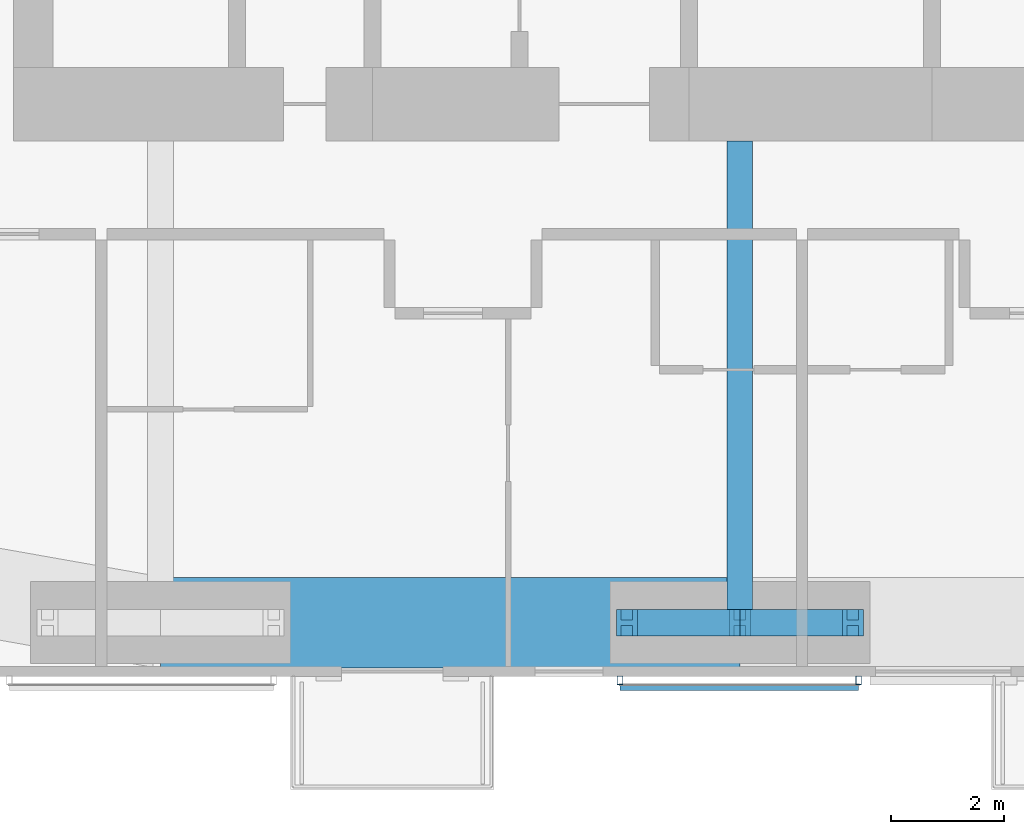
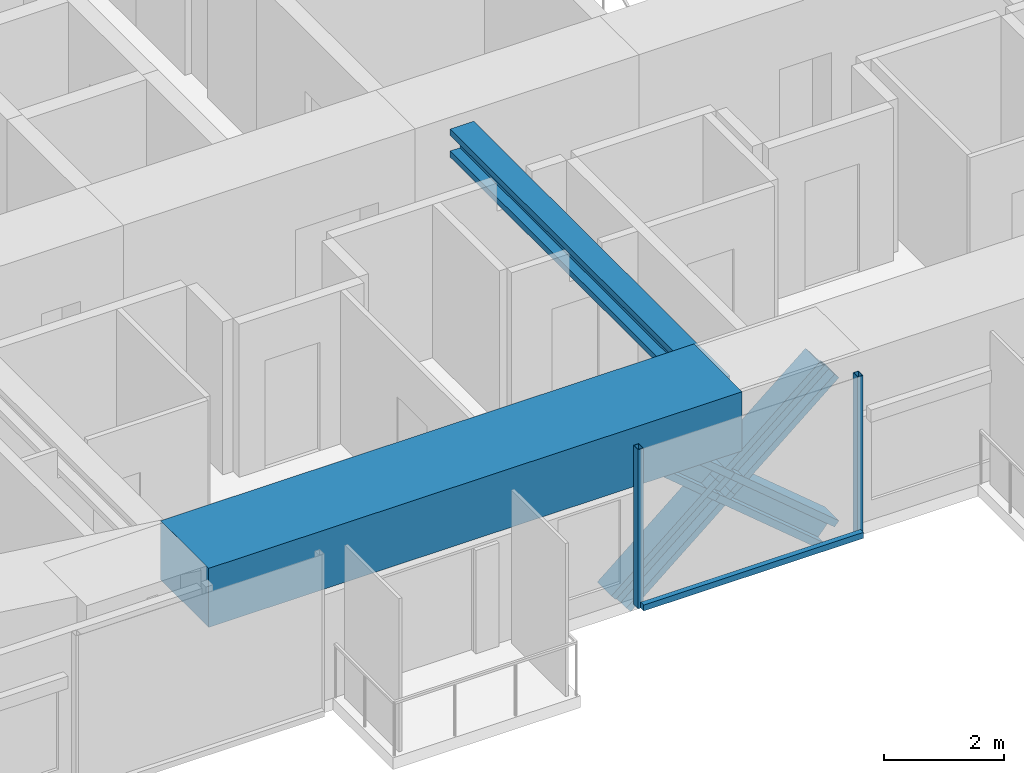
# One storey, part 3 of 23: 7 members, 2 beams, 1 element without a shape of its own.
"""IFC4 building model written with IfcOpenShell, lengths in metres."""

import ifcopenshell
import ifcopenshell.guid

model = None  # the IFC model being written
_history = None  # IfcOwnerHistory: only IFC2X3 demands one
_inside = {}  # id of a spatial element -> (the spatial element, [elements in it])
_under = {}  # id of a project, library or spatial element -> (it, [spatial elements below it])
_declared = {}  # id of a project -> (the project, [libraries it declares])
_typed = {}  # id of a type object -> (the type object, [elements of that type])
_made_of = {}  # id of a material, layer set ... -> (it, [elements and type objects made of it])


def new_model(schema):
    """Start an empty IFC model of exactly this schema.

    Asked for "IFC4X3", IfcOpenShell would pick the latest addendum, in which some entities
    have other attributes; the version numbers below select the first issue.
    IFC2X3 requires an IfcOwnerHistory on every rooted entity: one is made here for all.
    """
    global model, _history
    if schema == "IFC4X3":
        model = ifcopenshell.file(schema_version=(4, 3, 0, 0))
    else:
        model = ifcopenshell.file(schema=schema)
    _inside.clear()
    _under.clear()
    _declared.clear()
    _typed.clear()
    _made_of.clear()
    _history = None
    if model.schema == "IFC2X3":
        org = make("IfcOrganization", Name="unknown")
        user = make(
            "IfcPersonAndOrganization",
            ThePerson=make("IfcPerson", FamilyName="unknown"),
            TheOrganization=org,
        )
        app = make(
            "IfcApplication",
            ApplicationDeveloper=org,
            Version="unknown",
            ApplicationFullName="unknown",
            ApplicationIdentifier="unknown",
        )
        _history = make(
            "IfcOwnerHistory",
            OwningUser=user,
            OwningApplication=app,
            ChangeAction="ADDED",
            CreationDate=0,
        )
    return model


def make(cls, **values):
    """One entity of the class cls with the attributes given. An attribute that is None is left unset."""
    return model.create_entity(
        cls, **{name: value for name, value in values.items() if value is not None}
    )


def rooted(cls, **values):
    """An entity with a GlobalId (a new one), such as an element, a storey or a relation."""
    return make(cls, GlobalId=ifcopenshell.guid.new(), OwnerHistory=_history, **values)


def si_unit(unit_type, name, prefix=None):
    """IfcSIUnit, for example si_unit("LENGTHUNIT", "METRE", prefix="MILLI")."""
    return make("IfcSIUnit", UnitType=unit_type, Prefix=prefix, Name=name)


def assignment(units):
    """IfcUnitAssignment: the units of a project."""
    return None if units is None else make("IfcUnitAssignment", Units=units)


def point(xyz):
    """IfcCartesianPoint."""
    return None if xyz is None else make("IfcCartesianPoint", Coordinates=xyz)


def direction(xyz):
    """IfcDirection."""
    return None if xyz is None else make("IfcDirection", DirectionRatios=xyz)


def frame(location, z_axis=None, x_axis=None):
    """IfcAxis2Placement3D, a coordinate frame: its origin and axes. An axis left out is left unset."""
    return make(
        "IfcAxis2Placement3D",
        Location=point(location),
        Axis=direction(z_axis),
        RefDirection=direction(x_axis),
    )


def frame_2d(location, x_axis=None):
    """IfcAxis2Placement2D, a coordinate frame in the plane: its origin and x axis."""
    return make(
        "IfcAxis2Placement2D", Location=point(location), RefDirection=direction(x_axis)
    )


def origin():
    """The frame at (0, 0, 0) with its axes left unset."""
    return frame((0.0, 0.0, 0.0))


def origin_2d():
    """The frame at (0, 0) in the plane with its x axis left unset."""
    return frame_2d((0.0, 0.0))


def place(relative_to, where):
    """IfcLocalPlacement: puts the frame where relative to a parent placement (None: the world)."""
    return make(
        "IfcLocalPlacement", PlacementRelTo=relative_to, RelativePlacement=where
    )


def context(
    kind, dimensions, precision=None, world=None, true_north=None, identifier=None
):
    """IfcGeometricRepresentationContext, for example the 3D "Model" context."""
    return make(
        "IfcGeometricRepresentationContext",
        ContextIdentifier=identifier,
        ContextType=kind,
        CoordinateSpaceDimension=dimensions,
        Precision=precision,
        WorldCoordinateSystem=world,
        TrueNorth=true_north,
    )


def subcontext(parent, identifier, kind, view, scale=None):
    """IfcGeometricRepresentationSubContext, for example "Body" below "Model"."""
    return make(
        "IfcGeometricRepresentationSubContext",
        ContextIdentifier=identifier,
        ContextType=kind,
        ParentContext=parent,
        TargetScale=scale,
        TargetView=view,
    )


def project(units=None, contexts=None):
    """IfcProject with its units and contexts."""
    return rooted(
        "IfcProject",
        Name="project",
        RepresentationContexts=contexts,
        UnitsInContext=assignment(units),
    )


def spatial(cls, under=None, at=None, **own):
    """A site, building, storey or space (cls), placed at a placement, below another one or the project."""
    s = rooted(cls, ObjectPlacement=at, **own)
    if under is not None:
        _under.setdefault(under.id(), (under, []))[1].append(s)
    return s


def profile(cls, at=None, kind="AREA", **sizes):
    """A parametric profile (cls). Its sizes go by their IFC names, for example OverallWidth=200.0."""
    return make(cls, ProfileType=kind, Position=at, **sizes)


def rectangle(**sizes):
    """IfcRectangleProfileDef."""
    return profile("IfcRectangleProfileDef", **sizes)


def hollow_rectangle(**sizes):
    """IfcRectangleHollowProfileDef."""
    return profile("IfcRectangleHollowProfileDef", **sizes)


def i_section(**sizes):
    """IfcIShapeProfileDef."""
    return profile("IfcIShapeProfileDef", **sizes)


def extrude(swept, where, along, depth):
    """IfcExtrudedAreaSolid: the profile swept, set in the frame where, extruded along a direction by depth."""
    return make(
        "IfcExtrudedAreaSolid",
        SweptArea=swept,
        Position=where,
        ExtrudedDirection=direction(along),
        Depth=depth,
    )


def shape(context_of_items, identifier, shape_type, items):
    """IfcShapeRepresentation: the items that make up one representation, for example the "Body"."""
    return make(
        "IfcShapeRepresentation",
        ContextOfItems=context_of_items,
        RepresentationIdentifier=identifier,
        RepresentationType=shape_type,
        Items=items,
    )


def material(Name=None, Category=None):
    """IfcMaterial."""
    return make("IfcMaterial", Name=Name, Category=Category)


def material_profile(
    of_material, cross_section, Name=None, Category=None, Priority=None
):
    """IfcMaterialProfile: a cross section and its material."""
    return make(
        "IfcMaterialProfile",
        Name=Name,
        Material=of_material,
        Profile=cross_section,
        Priority=Priority,
        Category=Category,
    )


def profile_set(profiles, Name=None, composite=None):
    """IfcMaterialProfileSet."""
    return make(
        "IfcMaterialProfileSet",
        Name=Name,
        MaterialProfiles=profiles,
        CompositeProfile=composite,
    )


def made_of(thing, what):
    """Note that an element or type object is made of a material, layer set ...; save() writes the relation."""
    if what is not None:
        _made_of.setdefault(what.id(), (what, []))[1].append(thing)
    return thing


def type_object(cls, material=None, **own):
    """A type object (cls), such as IfcWallType, which elements share."""
    return made_of(rooted(cls, **own), material)


def element(
    cls,
    number,
    at=None,
    inside=None,
    cuts=None,
    type_object=None,
    material=None,
    context=None,
    identifier="Body",
    shape_type=None,
    held_by="IfcProductDefinitionShape",
    body=None,
    shapes=None,
    **own,
):
    """One element of the class cls, such as IfcWall. Its Tag is "e" and its number.

    at: its placement. inside: the storey or other place that contains it. cuts: it is an
    opening in that element (IfcRelVoidsElement). A single representation is given by context,
    identifier, shape_type and body (its items); several are given by shapes. held_by: the class
    of the entity that holds the representations. save() writes the other relations.
    """
    e = rooted(cls, Tag="e%d" % number, ObjectPlacement=at, **own)
    if body is not None:
        shapes = [shape(context, identifier, shape_type, body)]
    if shapes is not None:
        e.Representation = make(held_by, Representations=shapes)
    if inside is not None:
        _inside.setdefault(inside.id(), (inside, []))[1].append(e)
    if cuts is not None:
        rooted(
            "IfcRelVoidsElement", RelatingBuildingElement=cuts, RelatedOpeningElement=e
        )
    if type_object is not None:
        _typed.setdefault(type_object.id(), (type_object, []))[1].append(e)
    return made_of(e, material)


def aggregate(whole, parts):
    """IfcRelAggregates: a whole, such as a stair, and the parts it consists of."""
    return rooted("IfcRelAggregates", RelatingObject=whole, RelatedObjects=parts)


def save(model, path):
    """Write the relations noted so far, then the file.

    IfcRelAggregates (storeys below a building ...), IfcRelContainedInSpatialStructure (elements
    in a storey), IfcRelDefinesByType, IfcRelAssociatesMaterial and IfcRelDeclares: one each for
    every whole, place, type object, material and project.
    """
    for whole, parts in _under.values():
        aggregate(whole, parts)
    for where, things in _inside.values():
        rooted(
            "IfcRelContainedInSpatialStructure",
            RelatedElements=things,
            RelatingStructure=where,
        )
    for kind, things in _typed.values():
        rooted("IfcRelDefinesByType", RelatedObjects=things, RelatingType=kind)
    for what, things in _made_of.values():
        rooted("IfcRelAssociatesMaterial", RelatedObjects=things, RelatingMaterial=what)
    for by, libraries in _declared.values():
        rooted("IfcRelDeclares", RelatingContext=by, RelatedDefinitions=libraries)
    model.write(path)


model = new_model("IFC4")

# Units and contexts
model_context = context("Model", 3, precision=1e-05, world=origin(), true_north=direction((0.0, 1.0)))
body_context = subcontext(model_context, "Body", "Model", "MODEL_VIEW")
ifc_project = project(units=[si_unit("LENGTHUNIT", "METRE"), si_unit("AREAUNIT", "SQUARE_METRE"), si_unit("VOLUMEUNIT", "CUBIC_METRE"), si_unit("PLANEANGLEUNIT", "RADIAN"), si_unit("MASSUNIT", "GRAM", prefix="KILO")], contexts=[model_context])

# Site, building, storey
site_placement = place(None, origin())
site = spatial("IfcSite", under=ifc_project, at=site_placement, CompositionType="ELEMENT")
building_placement = place(site_placement, origin())
building = spatial("IfcBuilding", under=site, at=building_placement, Name="Jalousie Tower", CompositionType="ELEMENT")
storey_placement = place(building_placement, frame((0.0, 0.0, 164.39990234375)))
storey = spatial("IfcBuildingStorey", under=building, at=storey_placement, Name="L44", CompositionType="ELEMENT", Elevation=164.39990234375)

# Beam
ifc_material_1 = material(Name="Steel ASTM A992 Grade 50", Category="steel")
ifc_material_profile_1 = material_profile(ifc_material_1, i_section(OverallWidth=0.45458984375, OverallDepth=0.569091796875, WebThickness=0.077880859375, FlangeThickness=0.124755859375, at=origin_2d()), Name="W14X730")
ifc_profile_set_1 = profile_set([ifc_material_profile_1], Name="Steel ASTM A992 Grade 50")
beam_type_1 = type_object("IfcBeamType", Name="LEAN COLLECTOR W14X730", PredefinedType="BEAM", material=ifc_profile_set_1)
beam_1_placement = place(storey_placement, frame((32.5, 0.949951171875, 2.82568359375), z_axis=(0.0, 1.0, 0.0), x_axis=(-1.0, 0.0, 0.0)))
element("IfcBeam", 1, at=beam_1_placement, inside=storey, type_object=beam_type_1, Name="Lean collector under L45", PredefinedType="BEAM", context=body_context, shape_type="SweptSolid", body=[
    extrude(i_section(OverallWidth=0.45458984375, OverallDepth=0.569091796875, WebThickness=0.077880859375, FlangeThickness=0.124755859375, at=origin_2d()), origin(), (0.0, 0.0, 1.0), 8.525146484375),
])

# Members
ifc_material_2 = material(Name="Steel ASTM A992 Grade 50", Category="steel")
ifc_material_profile_2 = material_profile(ifc_material_2, i_section(OverallWidth=0.472412109375, OverallDepth=0.5791015625, WebThickness=0.094970703125, FlangeThickness=0.1298828125, at=origin_2d()), Name="W14X808")
ifc_profile_set_2 = profile_set([ifc_material_profile_2], Name="Steel ASTM A992 Grade 50")
member_type_1 = type_object("IfcMemberType", Name="PERIMETER BRACE W14X808", PredefinedType="BRACE", material=ifc_profile_set_2)
member_1_placement = place(storey_placement, frame((30.5, 0.949951171875, -0.599853515625), z_axis=(0.766638753323, 0.0, 0.642078672674), x_axis=(0.0, 1.0, 0.0)))
element("IfcMember", 2, at=member_1_placement, inside=storey, type_object=member_type_1, Name="Perimeter brace 03 L44 part 1", PredefinedType="BRACE", context=body_context, shape_type="SweptSolid", body=[
    extrude(i_section(OverallWidth=0.472412109375, OverallDepth=0.5791015625, WebThickness=0.094970703125, FlangeThickness=0.1298828125, at=origin_2d()), origin(), (0.0, 0.0, 1.0), 2.60888671875),
])
member_2_placement = place(storey_placement, frame((32.5, 0.949951171875, 1.0751953125), z_axis=(0.766684820047, 0.0, 0.642023665225), x_axis=(0.0, 1.0, 0.0)))
element("IfcMember", 3, at=member_2_placement, inside=storey, type_object=member_type_1, Name="Perimeter brace 03 L44 part 2", PredefinedType="BRACE", context=body_context, shape_type="SweptSolid", body=[
    extrude(i_section(OverallWidth=0.472412109375, OverallDepth=0.5791015625, WebThickness=0.094970703125, FlangeThickness=0.1298828125, at=origin_2d()), origin(), (0.0, 0.0, 1.0), 2.608642578125),
])
member_3_placement = place(storey_placement, frame((34.5, 0.949951171875, -0.599853515625), z_axis=(-0.766638753323, 0.0, 0.642078672674), x_axis=(0.0, -1.0, 0.0)))
element("IfcMember", 4, at=member_3_placement, inside=storey, type_object=member_type_1, Name="Perimeter brace 03 L44 part 3", PredefinedType="BRACE", context=body_context, shape_type="SweptSolid", body=[
    extrude(i_section(OverallWidth=0.472412109375, OverallDepth=0.5791015625, WebThickness=0.094970703125, FlangeThickness=0.1298828125, at=origin_2d()), origin(), (0.0, 0.0, 1.0), 2.60888671875),
])
member_4_placement = place(storey_placement, frame((32.5, 0.949951171875, 1.0751953125), z_axis=(-0.766684820047, 0.0, 0.642023665225), x_axis=(0.0, -1.0, 0.0)))
element("IfcMember", 5, at=member_4_placement, inside=storey, type_object=member_type_1, Name="Perimeter brace 03 L44 part 4", PredefinedType="BRACE", context=body_context, shape_type="SweptSolid", body=[
    extrude(i_section(OverallWidth=0.472412109375, OverallDepth=0.5791015625, WebThickness=0.094970703125, FlangeThickness=0.1298828125, at=origin_2d()), origin(), (0.0, 0.0, 1.0), 2.608642578125),
])

# Beam
ifc_material_3 = material(Name="Concrete f'c 40 MPa", Category="concrete")
ifc_material_profile_3 = material_profile(ifc_material_3, rectangle(XDim=1.60009765625, YDim=1.199951171875, at=origin_2d()), Name="RC 1600x1200")
ifc_profile_set_3 = profile_set([ifc_material_profile_3], Name="Concrete f'c 40 MPa")
beam_type_2 = type_object("IfcBeamType", Name="RC BEAM 1600x1200", PredefinedType="BEAM", material=ifc_profile_set_3)
beam_2_placement = place(storey_placement, frame((22.25, 0.949951171875, 2.75), z_axis=(1.0, 0.0, 0.0), x_axis=(0.0, 1.0, 0.0)))
element("IfcBeam", 6, at=beam_2_placement, inside=storey, type_object=beam_type_2, Name="Edge band beam 02-03 under L45", PredefinedType="BEAM", context=body_context, shape_type="SweptSolid", body=[
    extrude(rectangle(XDim=1.60009765625, YDim=1.199951171875, at=origin_2d()), origin(), (0.0, 0.0, 1.0), 10.25),
])

# Curtain wall, members
ifc_material_4 = material(Name="Perforated aluminium sheet", Category="aluminium")
curtain_wall_type = type_object("IfcCurtainWallType", Name="SOLAR SCREEN SS-1", PredefinedType="USERDEFINED", material=ifc_material_4)
curtain_wall_placement = place(storey_placement, origin())
curtain_wall = element("IfcCurtainWall", 7, at=curtain_wall_placement, inside=storey, type_object=curtain_wall_type, Name="Solar screen L44", ObjectType="SOLAR SCREEN SS-1", PredefinedType="USERDEFINED")
ifc_material_5 = material(Name="Steel ASTM A500 Grade C", Category="steel")
ifc_material_profile_4 = material_profile(ifc_material_5, hollow_rectangle(XDim=0.1015625, YDim=0.15234375, WallThickness=0.00634765625, at=origin_2d()), Name="HSS6X4X1/4")
ifc_profile_set_4 = profile_set([ifc_material_profile_4], Name="Steel ASTM A500 Grade C")
member_type_2 = type_object("IfcMemberType", Name="SOLAR SCREEN SS-1 MULLION", PredefinedType="MULLION", material=ifc_profile_set_4)
member_5_placement = place(storey_placement, frame((30.37890625, -0.0712890625, -0.119873046875), z_axis=(0.0, 0.0, 1.0), x_axis=(1.0, 0.0, 0.0)))
member_5 = element("IfcMember", 8, at=member_5_placement, type_object=member_type_2, Name="SS1 post 1", PredefinedType="MULLION", context=body_context, shape_type="SweptSolid", body=[
    extrude(hollow_rectangle(XDim=0.1015625, YDim=0.15234375, WallThickness=0.00634765625, at=origin_2d()), origin(), (0.0, 0.0, 1.0), 3.22998046875),
])
member_6_placement = place(storey_placement, frame((34.60009765625, -0.0712890625, -0.119873046875), z_axis=(0.0, 0.0, 1.0), x_axis=(1.0, 0.0, 0.0)))
member_6 = element("IfcMember", 9, at=member_6_placement, type_object=member_type_2, Name="SS1 post 2", PredefinedType="MULLION", context=body_context, shape_type="SweptSolid", body=[
    extrude(hollow_rectangle(XDim=0.1015625, YDim=0.15234375, WallThickness=0.00634765625, at=origin_2d()), origin(), (0.0, 0.0, 1.0), 3.22998046875),
])
ifc_material_6 = material(Name="Extruded aluminium screen rail", Category="aluminium")
ifc_material_profile_5 = material_profile(ifc_material_6, rectangle(XDim=0.1015625, YDim=0.1201171875, at=origin_2d()), Name="RAIL 102x120")
ifc_profile_set_5 = profile_set([ifc_material_profile_5], Name="Extruded aluminium screen rail")
member_type_3 = type_object("IfcMemberType", Name="SOLAR SCREEN SS-1 TRANSOM", PredefinedType="USERDEFINED", material=ifc_profile_set_5)
member_7_placement = place(storey_placement, frame((30.37890625, -0.1982421875, -0.059814453125), z_axis=(1.0, 0.0, 0.0), x_axis=(0.0, 1.0, 0.0)))
member_7 = element("IfcMember", 10, at=member_7_placement, type_object=member_type_3, Name="SS1 rail", ObjectType="TRANSOM", PredefinedType="USERDEFINED", context=body_context, shape_type="SweptSolid", body=[
    extrude(rectangle(XDim=0.1015625, YDim=0.1201171875, at=origin_2d()), origin(), (0.0, 0.0, 1.0), 4.22119140625),
])
aggregate(curtain_wall, [member_5, member_6, member_7])

save(model, "model.ifc")
